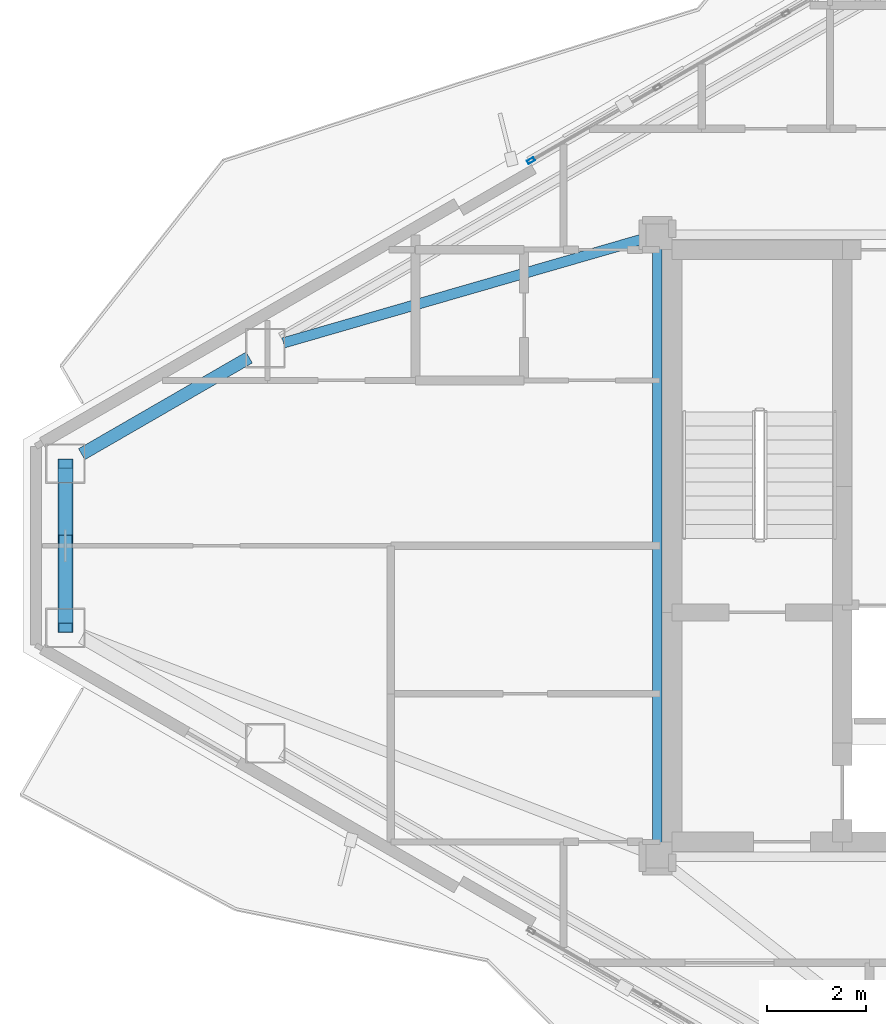
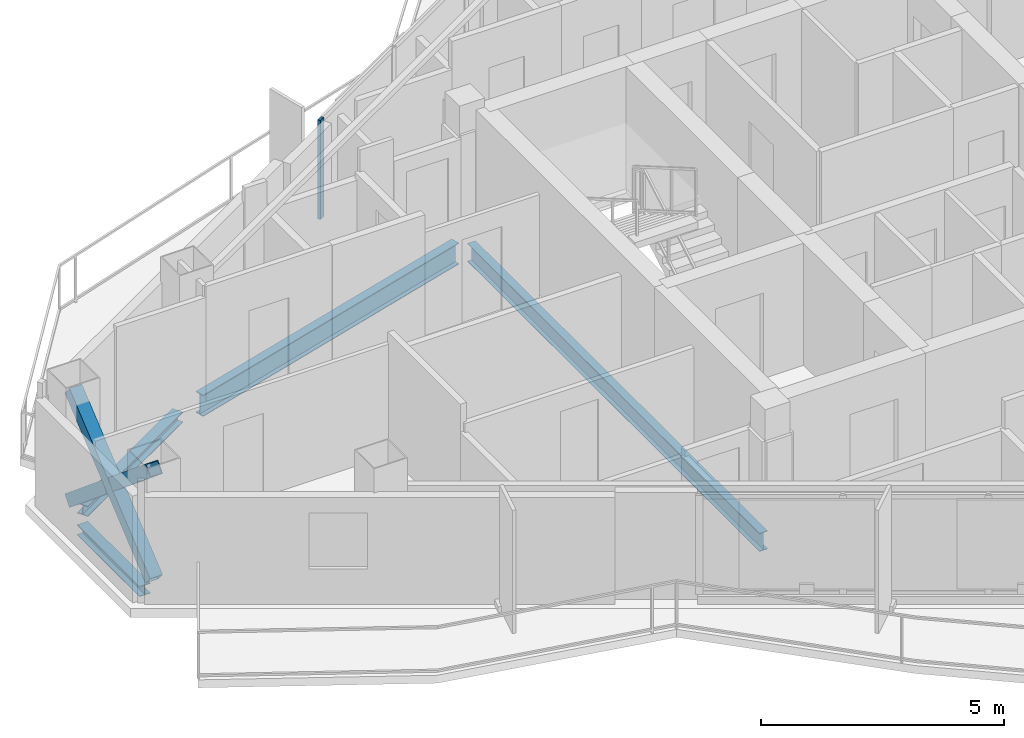
# One storey, part 7 of 22: 4 beams, 4 members, 1 element without a shape of its own.
"""IFC4 building model written with IfcOpenShell, lengths in metres."""

from ifc_helpers import new_model, si_unit, direction, frame, origin, origin_2d, place, context, subcontext, project, spatial, hollow_rectangle, i_section, extrude, material, layer, layer_set, material_profile, profile_set, type_object, element, aggregate, save


model = new_model("IFC4")

# Units and contexts
model_context = context("Model", 3, precision=1e-05, world=origin(), true_north=direction((0.0, 1.0)))
body_context = subcontext(model_context, "Body", "Model", "MODEL_VIEW")
ifc_project = project(units=[si_unit("LENGTHUNIT", "METRE"), si_unit("AREAUNIT", "SQUARE_METRE"), si_unit("VOLUMEUNIT", "CUBIC_METRE"), si_unit("PLANEANGLEUNIT", "RADIAN"), si_unit("MASSUNIT", "GRAM", prefix="KILO")], contexts=[model_context])

# Site, building, storey
site_placement = place(None, origin())
site = spatial("IfcSite", under=ifc_project, at=site_placement, CompositionType="ELEMENT")
building_placement = place(site_placement, origin())
building = spatial("IfcBuilding", under=site, at=building_placement, Name="Mersakhor Tower and Convention Hall", CompositionType="ELEMENT")
storey_placement = place(building_placement, frame((0.0, 0.0, 198.60009765625)))
storey = spatial("IfcBuildingStorey", under=building, at=storey_placement, Name="L55", CompositionType="ELEMENT", Elevation=198.60009765625)

# Beams
ifc_material_1 = material(Name="Steel S355", Category="steel")
ifc_material_profile_1 = material_profile(ifc_material_1, i_section(OverallWidth=0.19140625, OverallDepth=0.4599609375, WebThickness=0.010009765625, FlangeThickness=0.01611328125, at=origin_2d()), Name="UB 457x191x82")
ifc_profile_set_1 = profile_set([ifc_material_profile_1], Name="Steel S355")
beam_type_1 = type_object("IfcBeamType", Name="BM-FB-457", PredefinedType="BEAM", material=ifc_profile_set_1)
beam_1_placement = place(storey_placement, frame((21.89990234375, 20.72998046875, -0.460205078125), z_axis=(0.0, 1.0, 0.0), x_axis=(-1.0, 0.0, 0.0)))
element("IfcBeam", 1, at=beam_1_placement, inside=storey, type_object=beam_type_1, Name="L55 Core Ring Tie Beam CRB-1", PredefinedType="BEAM", context=body_context, shape_type="SweptSolid", body=[
    extrude(i_section(OverallWidth=0.19140625, OverallDepth=0.4599609375, WebThickness=0.010009765625, FlangeThickness=0.01611328125, at=origin_2d()), origin(), (0.0, 0.0, 1.0), 12.0400390625),
])
ifc_material_2 = material(Name="Steel S355", Category="steel")
ifc_material_profile_2 = material_profile(ifc_material_2, i_section(OverallWidth=0.2099609375, OverallDepth=0.53662109375, WebThickness=0.0107421875, FlangeThickness=0.017333984375, at=origin_2d()), Name="UB 533x210x101")
ifc_profile_set_2 = profile_set([ifc_material_profile_2], Name="Steel S355")
beam_type_2 = type_object("IfcBeamType", Name="BM-FB-533", PredefinedType="BEAM", material=ifc_profile_set_2)
beam_2_placement = place(storey_placement, frame((21.631103515625, 32.97216796875, -0.498291015625), z_axis=(-0.960673848118, -0.277679234987, 0.0), x_axis=(0.277679234987, -0.960673848118, 0.0)))
element("IfcBeam", 2, at=beam_2_placement, inside=storey, type_object=beam_type_2, Name="L55 Primary Floor Girder FG-1", PredefinedType="BEAM", context=body_context, shape_type="SweptSolid", body=[
    extrude(i_section(OverallWidth=0.2099609375, OverallDepth=0.53662109375, WebThickness=0.0107421875, FlangeThickness=0.017333984375, at=origin_2d()), origin(), (0.0, 0.0, 1.0), 7.605224609375),
])
ifc_material_3 = material(Name="Steel S355", Category="steel")
ifc_material_profile_3 = material_profile(ifc_material_3, i_section(OverallWidth=0.25634765625, OverallDepth=0.26025390625, WebThickness=0.01025390625, FlangeThickness=0.017333984375, at=origin_2d()), Name="UC 254x254x89")
ifc_profile_set_3 = profile_set([ifc_material_profile_3], Name="Steel S355")
beam_type_3 = type_object("IfcBeamType", Name="BM-SPD-UC254", PredefinedType="SPANDREL", material=ifc_profile_set_3)
beam_3_placement = place(storey_placement, frame((10.236572265625, 28.605224609375, -0.360107421875), z_axis=(0.866007153761, 0.500031608635, 0.0), x_axis=(-0.500031608635, 0.866007153761, 0.0)))
element("IfcBeam", 3, at=beam_3_placement, inside=storey, type_object=beam_type_3, Name="L55 Perimeter Spandrel Beam SPB-01", PredefinedType="SPANDREL", context=body_context, shape_type="SweptSolid", body=[
    extrude(i_section(OverallWidth=0.25634765625, OverallDepth=0.26025390625, WebThickness=0.01025390625, FlangeThickness=0.017333984375, at=origin_2d()), origin(), (0.0, 0.0, 1.0), 3.919189453125),
])
beam_4_placement = place(storey_placement, frame((9.907470703125, 25.464599609375, -0.360107421875), z_axis=(0.0, 1.0, 0.0), x_axis=(-1.0, 0.0, 0.0)))
element("IfcBeam", 4, at=beam_4_placement, inside=storey, type_object=beam_type_3, Name="L55 Perimeter Spandrel Beam SPB-12", PredefinedType="SPANDREL", context=body_context, shape_type="SweptSolid", body=[
    extrude(i_section(OverallWidth=0.25634765625, OverallDepth=0.26025390625, WebThickness=0.01025390625, FlangeThickness=0.017333984375, at=origin_2d()), origin(), (0.0, 0.0, 1.0), 2.57080078125),
])

# Curtain wall, member
ifc_material_4 = material(Name="Dark solar low-E aluminium curtain wall", Category="aluminium")
ifc_layer = layer(ifc_material_4, 0.169921875)
ifc_layer_set = layer_set([ifc_layer], Name="Dark solar low-E aluminium curtain wall")
curtain_wall_type = type_object("IfcCurtainWallType", Name="CW-SYS-02", PredefinedType="USERDEFINED", material=ifc_layer_set)
curtain_wall_placement = place(storey_placement, origin())
curtain_wall = element("IfcCurtainWall", 5, at=curtain_wall_placement, inside=storey, type_object=curtain_wall_type, Name="L55 Dark-Glass Curtain Wall F1-B2", ObjectType="CURTAIN WALL", PredefinedType="USERDEFINED")
ifc_material_5 = material(Name="Anodised aluminium EN AW-6063 T6", Category="aluminium")
ifc_material_profile_4 = material_profile(ifc_material_5, hollow_rectangle(XDim=0.074951171875, YDim=0.14990234375, WallThickness=0.00634765625, at=origin_2d()), Name="RHS 150x75x6.3")
ifc_profile_set_4 = profile_set([ifc_material_profile_4], Name="Anodised aluminium EN AW-6063 T6")
member_type_1 = type_object("IfcMemberType", Name="CWM-150x75", PredefinedType="MULLION", material=ifc_profile_set_4)
member_1_placement = place(storey_placement, frame((19.341796875, 34.554931640625, 0.199951171875), z_axis=(0.0, 0.0, 1.0), x_axis=(-0.500007824483, 0.86602088627, 0.0)))
member_1 = element("IfcMember", 6, at=member_1_placement, type_object=member_type_1, Name="CW-02 mullion 1", PredefinedType="MULLION", context=body_context, shape_type="SweptSolid", body=[
    extrude(hollow_rectangle(XDim=0.074951171875, YDim=0.14990234375, WallThickness=0.00634765625, at=origin_2d()), origin(), (0.0, 0.0, 1.0), 2.489990234375),
])
aggregate(curtain_wall, [member_1])

# Members
ifc_material_6 = material(Name="Steel S355", Category="steel")
ifc_material_profile_5 = material_profile(ifc_material_6, hollow_rectangle(XDim=0.300048828125, YDim=0.300048828125, WallThickness=0.01611328125, at=origin_2d()), Name="SHS 300x300x16")
ifc_profile_set_5 = profile_set([ifc_material_profile_5], Name="Steel S355")
member_type_2 = type_object("IfcMemberType", Name="MB-BRC-SHS300", PredefinedType="BRACE", material=ifc_profile_set_5)
member_2_placement = place(storey_placement, frame((9.907470703125, 25.084716796875, 0.14990234375), z_axis=(0.0, 0.768839937868, 0.639441279508), x_axis=(-1.0, 0.0, 0.0)))
element("IfcMember", 7, at=member_2_placement, inside=storey, type_object=member_type_2, Name="L55 Chamfer Braced Frame Diagonal CB-3A", PredefinedType="BRACE", context=body_context, shape_type="SweptSolid", body=[
    extrude(hollow_rectangle(XDim=0.300048828125, YDim=0.300048828125, WallThickness=0.01611328125, at=origin_2d()), origin(), (0.0, 0.0, 1.0), 4.33203125),
])
for number, where, z_axis, x_axis, name in (
    (8, (9.907470703125, 28.415283203125, 0.14990234375), (0.0, -0.768899389676, 0.639369790149), (1.0, 0.0, 0.0), "L55 Chamfer Braced Frame Diagonal CB-3B Lower Half"),
    (9, (9.907470703125, 26.626708984375, 1.6376953125), (0.0, -0.768899389676, 0.639369790149), (1.0, 0.0, 0.0), "L55 Chamfer Braced Frame Diagonal CB-3B Upper Half"),
):
    element("IfcMember", number, at=place(storey_placement, frame(where, z_axis=z_axis, x_axis=x_axis)), inside=storey, type_object=member_type_2, Name=name, PredefinedType="BRACE", context=body_context, shape_type="SweptSolid", body=[
        extrude(hollow_rectangle(XDim=0.300048828125, YDim=0.300048828125, WallThickness=0.01611328125, at=origin_2d()), origin(), (0.0, 0.0, 1.0), 2.00537109375),
    ])

save(model, "model.ifc")
